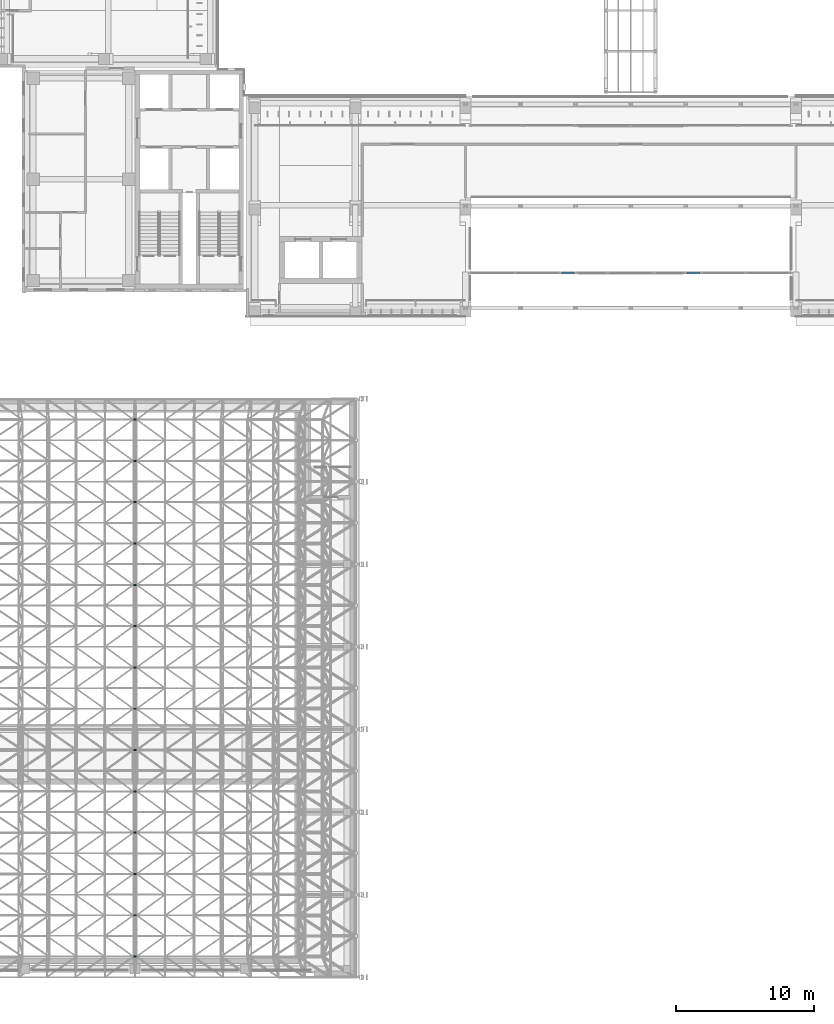
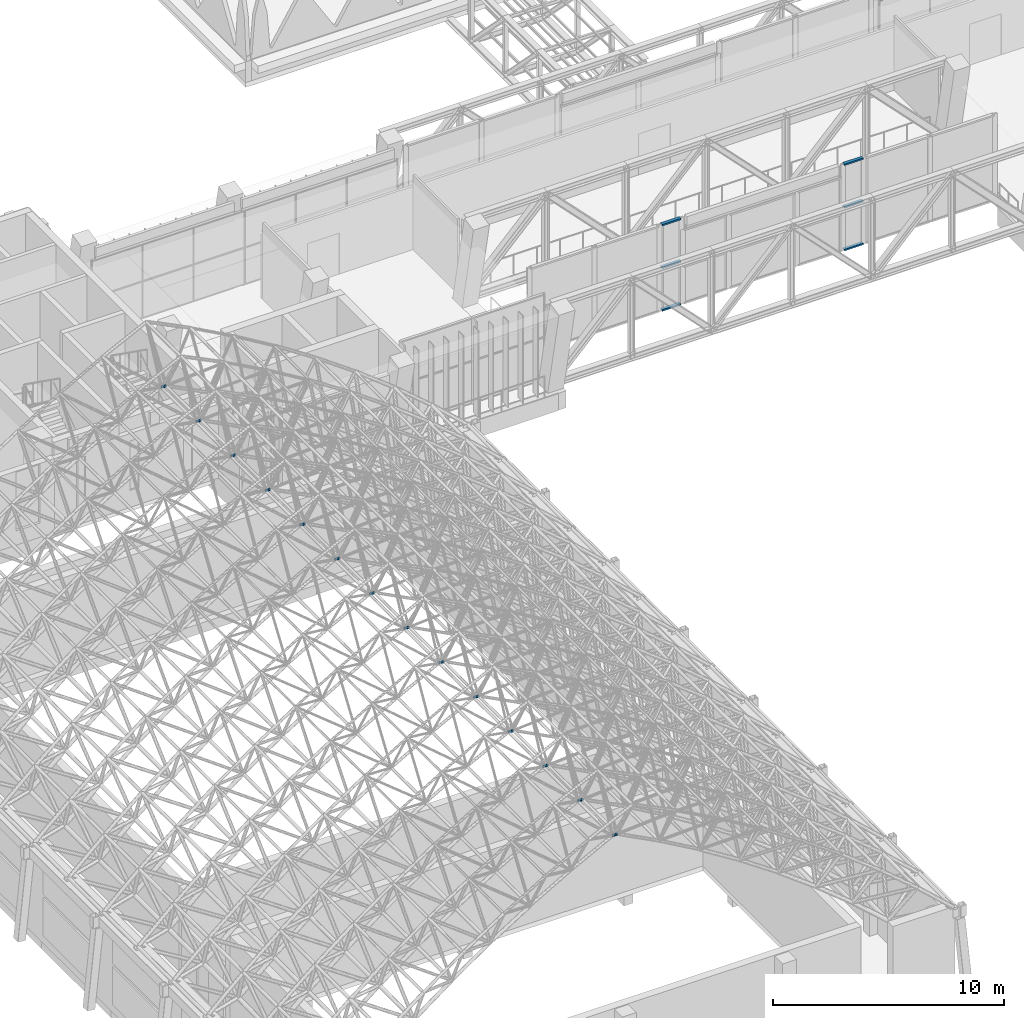
# One storey, part 88 of 141: 20 members, 2 elements without a shape of their own.
"""IFC4 building model written with IfcOpenShell, lengths in metres."""

from ifc_helpers import new_model, si_unit, direction, frame, origin, origin_2d, place, context, subcontext, project, spatial, rectangle, hollow_circle, extrude, material, material_profile, profile_set, type_object, element, aggregate, save


model = new_model("IFC4")

# Units and contexts
model_context = context("Model", 3, precision=1e-05, world=origin(), true_north=direction((0.0, 1.0)))
body_context = subcontext(model_context, "Body", "Model", "MODEL_VIEW")
ifc_project = project(units=[si_unit("LENGTHUNIT", "METRE"), si_unit("AREAUNIT", "SQUARE_METRE"), si_unit("VOLUMEUNIT", "CUBIC_METRE"), si_unit("PLANEANGLEUNIT", "RADIAN"), si_unit("MASSUNIT", "GRAM", prefix="KILO")], contexts=[model_context])

# Site, building, storey
site_placement = place(None, origin())
site = spatial("IfcSite", under=ifc_project, at=site_placement, CompositionType="ELEMENT")
building_placement = place(site_placement, origin())
building = spatial("IfcBuilding", under=site, at=building_placement, Name="Lantern Court Media Centre", CompositionType="ELEMENT")
storey_placement = place(building_placement, frame((0.0, 0.0, 9.60009765625)))
storey = spatial("IfcBuildingStorey", under=building, at=storey_placement, Name="L02", CompositionType="ELEMENT", Elevation=9.60009765625)

# Members
ifc_material_1 = material(Name="Steel S355J2 (EN 10025-2)", Category="steel")
ifc_material_profile_1 = material_profile(ifc_material_1, hollow_circle(Radius=0.06982421875, WallThickness=0.0048828125, at=origin_2d()), Name="Cinema Hall bottom CHS 139.7x5")
ifc_profile_set_1 = profile_set([ifc_material_profile_1], Name="Steel S355J2 (EN 10025-2)")
member_type_1 = type_object("IfcMemberType", Name="Cinema Hall bottom CHS 139.7x5", PredefinedType="CHORD", material=ifc_profile_set_1)
for number, where, z_axis, x_axis, name in (
    (1, (15.87939453125, -0.5, 13.298583984375), (1.0, 0.0, 0.0), (0.0, 1.0, 0.0), "Cinema Hall bottom chord 08-01 across"),
    (2, (15.87939453125, 2.5, 13.298583984375), (1.0, 0.0, 0.0), (0.0, 1.0, 0.0), "Cinema Hall bottom chord 08-02 across"),
    (3, (15.87939453125, 5.5, 13.298583984375), (1.0, 0.0, 0.0), (0.0, 1.0, 0.0), "Cinema Hall bottom chord 08-03 across"),
    (4, (15.87939453125, 8.5, 13.298583984375), (1.0, 0.0, 0.0), (0.0, 1.0, 0.0), "Cinema Hall bottom chord 08-04 across"),
    (5, (15.87939453125, 11.5, 13.298583984375), (1.0, 0.0, 0.0), (0.0, 1.0, 0.0), "Cinema Hall bottom chord 08-05 across"),
    (6, (15.87939453125, 14.5, 13.298583984375), (1.0, 0.0, 0.0), (0.0, 1.0, 0.0), "Cinema Hall bottom chord 08-06 across"),
    (7, (15.87939453125, 17.5, 13.298583984375), (1.0, 0.0, 0.0), (0.0, 1.0, 0.0), "Cinema Hall bottom chord 08-07 across"),
    (8, (15.87939453125, 20.5, 13.298583984375), (1.0, 0.0, 0.0), (0.0, 1.0, 0.0), "Cinema Hall bottom chord 08-08 across"),
    (9, (15.87939453125, 23.5, 13.298583984375), (1.0, 0.0, 0.0), (0.0, 1.0, 0.0), "Cinema Hall bottom chord 08-09 across"),
    (10, (15.87939453125, 26.5, 13.298583984375), (1.0, 0.0, 0.0), (0.0, 1.0, 0.0), "Cinema Hall bottom chord 08-10 across"),
    (11, (15.87939453125, 29.5, 13.298583984375), (1.0, 0.0, 0.0), (0.0, 1.0, 0.0), "Cinema Hall bottom chord 08-11 across"),
    (12, (15.87939453125, 32.5, 13.298583984375), (1.0, 0.0, 0.0), (0.0, 1.0, 0.0), "Cinema Hall bottom chord 08-12 across"),
    (13, (15.87939453125, 35.5, 13.298583984375), (1.0, 0.0, 0.0), (0.0, 1.0, 0.0), "Cinema Hall bottom chord 08-13 across"),
    (14, (15.87939453125, 38.5, 13.298583984375), (1.0, 0.0, 0.0), (0.0, 1.0, 0.0), "Cinema Hall bottom chord 08-14 across"),
):
    element("IfcMember", number, at=place(storey_placement, frame(where, z_axis=z_axis, x_axis=x_axis)), inside=storey, type_object=member_type_1, Name=name, PredefinedType="CHORD", context=body_context, shape_type="SweptSolid", body=[
        extrude(hollow_circle(Radius=0.06982421875, WallThickness=0.0048828125, at=origin_2d()), origin(), (0.0, 0.0, 1.0), 0.2412109375),
    ])

# Curtain wall, members
ifc_material_2 = material(Name="Curtain wall bay 4000")
curtain_wall_type = type_object("IfcCurtainWallType", Name="Curtain wall bay 4000", PredefinedType="NOTDEFINED", material=ifc_material_2)
curtain_wall_1_placement = place(storey_placement, origin())
curtain_wall_1 = element("IfcCurtainWall", 15, at=curtain_wall_1_placement, inside=storey, type_object=curtain_wall_type, Name="Curtain wall S outer L02", PredefinedType="NOTDEFINED")
ifc_material_3 = material(Name="Anodised aluminium", Category="aluminium")
ifc_material_profile_2 = material_profile(ifc_material_3, rectangle(XDim=0.159912109375, YDim=0.080078125, at=origin_2d()), Name="AL 80x160")
ifc_profile_set_2 = profile_set([ifc_material_profile_2], Name="Anodised aluminium")
member_type_2 = type_object("IfcMemberType", Name="Curtain wall transom 160x80", PredefinedType="USERDEFINED", material=ifc_profile_set_2)
member_1_placement = place(storey_placement, frame((46.97998046875, 49.14990234375, 0.039794921875), z_axis=(1.0, 0.0, 0.0), x_axis=(0.0, 1.0, 0.0)))
member_1 = element("IfcMember", 16, at=member_1_placement, type_object=member_type_2, Name="CW3 transom 1.1", ObjectType="TRANSOM", PredefinedType="USERDEFINED", context=body_context, shape_type="SweptSolid", body=[
    extrude(rectangle(XDim=0.159912109375, YDim=0.080078125, at=origin_2d()), origin(), (0.0, 0.0, 1.0), 0.93994140625),
])
member_2_placement = place(storey_placement, frame((46.97998046875, 49.14990234375, 2.289794921875), z_axis=(1.0, 0.0, 0.0), x_axis=(0.0, 1.0, 0.0)))
member_2 = element("IfcMember", 17, at=member_2_placement, type_object=member_type_2, Name="CW3 transom 1.2", ObjectType="TRANSOM", PredefinedType="USERDEFINED", context=body_context, shape_type="SweptSolid", body=[
    extrude(rectangle(XDim=0.159912109375, YDim=0.080078125, at=origin_2d()), origin(), (0.0, 0.0, 1.0), 0.93994140625),
])
member_3_placement = place(storey_placement, frame((46.97998046875, 49.14990234375, 4.539794921875), z_axis=(1.0, 0.0, 0.0), x_axis=(0.0, 1.0, 0.0)))
member_3 = element("IfcMember", 18, at=member_3_placement, type_object=member_type_2, Name="CW3 transom 1.3", ObjectType="TRANSOM", PredefinedType="USERDEFINED", context=body_context, shape_type="SweptSolid", body=[
    extrude(rectangle(XDim=0.159912109375, YDim=0.080078125, at=origin_2d()), origin(), (0.0, 0.0, 1.0), 0.93994140625),
])
aggregate(curtain_wall_1, [member_1, member_2, member_3])

curtain_wall_2_placement = place(storey_placement, origin())
curtain_wall_2 = element("IfcCurtainWall", 19, at=curtain_wall_2_placement, inside=storey, type_object=curtain_wall_type, Name="Curtain wall S outer L02", PredefinedType="NOTDEFINED")
member_4_placement = place(storey_placement, frame((56.080078125, 49.14990234375, 0.039794921875), z_axis=(1.0, 0.0, 0.0), x_axis=(0.0, 1.0, 0.0)))
member_4 = element("IfcMember", 20, at=member_4_placement, type_object=member_type_2, Name="CW3 transom 1.1", ObjectType="TRANSOM", PredefinedType="USERDEFINED", context=body_context, shape_type="SweptSolid", body=[
    extrude(rectangle(XDim=0.159912109375, YDim=0.080078125, at=origin_2d()), origin(), (0.0, 0.0, 1.0), 0.93994140625),
])
member_5_placement = place(storey_placement, frame((56.080078125, 49.14990234375, 2.289794921875), z_axis=(1.0, 0.0, 0.0), x_axis=(0.0, 1.0, 0.0)))
member_5 = element("IfcMember", 21, at=member_5_placement, type_object=member_type_2, Name="CW3 transom 1.2", ObjectType="TRANSOM", PredefinedType="USERDEFINED", context=body_context, shape_type="SweptSolid", body=[
    extrude(rectangle(XDim=0.159912109375, YDim=0.080078125, at=origin_2d()), origin(), (0.0, 0.0, 1.0), 0.93994140625),
])
member_6_placement = place(storey_placement, frame((56.080078125, 49.14990234375, 4.539794921875), z_axis=(1.0, 0.0, 0.0), x_axis=(0.0, 1.0, 0.0)))
member_6 = element("IfcMember", 22, at=member_6_placement, type_object=member_type_2, Name="CW3 transom 1.3", ObjectType="TRANSOM", PredefinedType="USERDEFINED", context=body_context, shape_type="SweptSolid", body=[
    extrude(rectangle(XDim=0.159912109375, YDim=0.080078125, at=origin_2d()), origin(), (0.0, 0.0, 1.0), 0.93994140625),
])
aggregate(curtain_wall_2, [member_4, member_5, member_6])

save(model, "model.ifc")
